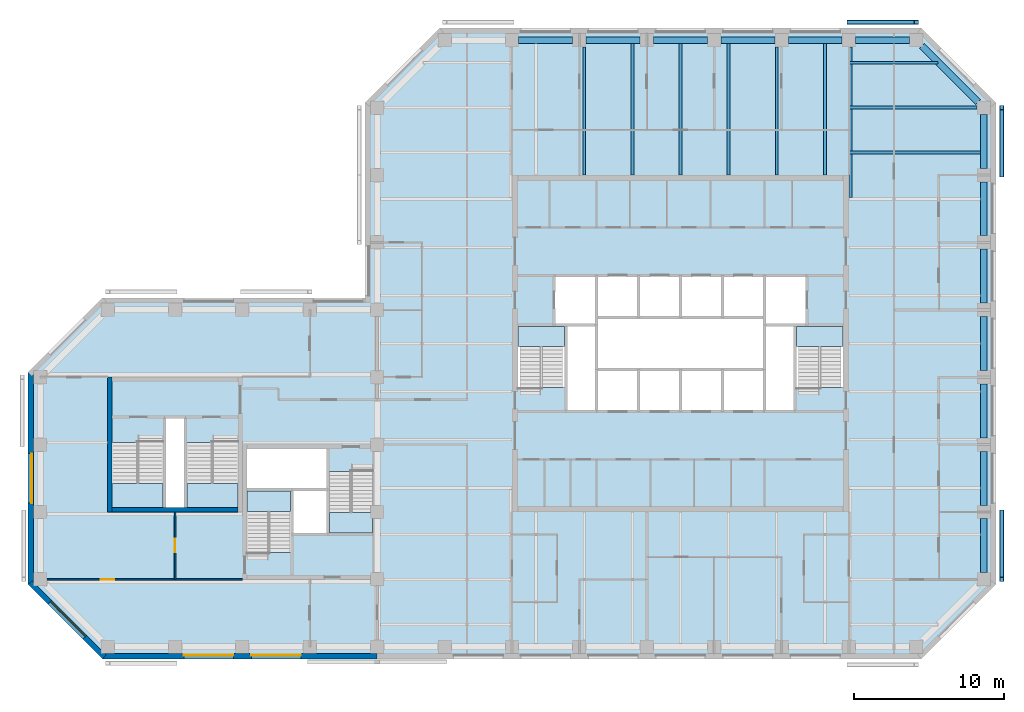
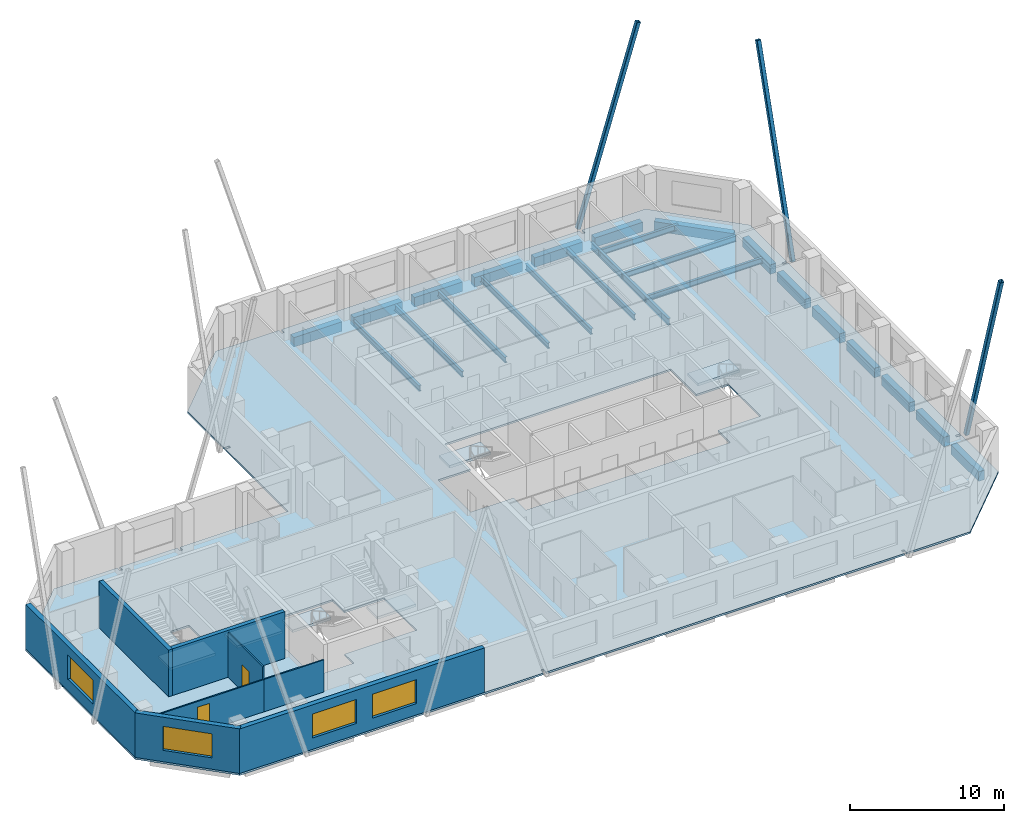
# One storey, part 2 of 10: 24 beams, 8 walls, 7 slabs, 4 windows, 3 members, 2 doors, 6 openings, 6 elements without a shape of their own.
"""IFC4 building model written with IfcOpenShell, lengths in metres."""

from ifc_helpers import new_model, si_unit, direction, frame, frame_2d, origin, origin_2d, place, context, subcontext, project, spatial, polyline, rectangle, hollow_rectangle, i_section, outline, extrude, material, layer, layer_set, constituent, constituent_set, material_profile, profile_set, type_object, element, fill, aggregate, save


model = new_model("IFC4")

# Units and contexts
model_context = context("Model", 3, precision=1e-05, world=origin(), true_north=direction((0.0, 1.0)))
body_context = subcontext(model_context, "Body", "Model", "MODEL_VIEW")
ifc_project = project(units=[si_unit("LENGTHUNIT", "METRE"), si_unit("AREAUNIT", "SQUARE_METRE"), si_unit("VOLUMEUNIT", "CUBIC_METRE"), si_unit("PLANEANGLEUNIT", "RADIAN"), si_unit("MASSUNIT", "GRAM", prefix="KILO")], contexts=[model_context])

# Site, building, storey
site_placement = place(None, origin())
site = spatial("IfcSite", under=ifc_project, at=site_placement, CompositionType="ELEMENT")
building_placement = place(site_placement, origin())
building = spatial("IfcBuilding", under=site, at=building_placement, Name="Quoin Convention Tower", CompositionType="ELEMENT")
storey_placement = place(building_placement, frame((0.0, 0.0, 234.10009765625)))
storey = spatial("IfcBuildingStorey", under=building, at=storey_placement, Name="L61", CompositionType="ELEMENT", Elevation=234.10009765625)

# Beams
ifc_material_1 = material(Name="Steel Grade 300", Category="steel")
ifc_material_profile_1 = material_profile(ifc_material_1, i_section(OverallWidth=0.18994140625, OverallDepth=0.4541015625, WebThickness=0.008544921875, FlangeThickness=0.0126953125, FilletRadius=0.011474609375, at=origin_2d()), Name="460UB67.1")
ifc_profile_set_1 = profile_set([ifc_material_profile_1], Name="Steel Grade 300")
beam_type_1 = type_object("IfcBeamType", Name="460UB67.1", PredefinedType="BEAM", material=ifc_profile_set_1)
beam_1_placement = place(storey_placement, frame((49.8212890625, 72.0, -0.377197265625), z_axis=(0.0, 1.0, 0.0), x_axis=(-1.0, 0.0, 0.0)))
element("IfcBeam", 1, at=beam_1_placement, inside=storey, type_object=beam_type_1, Name="bm-L61-T1N1", PredefinedType="BEAM", context=body_context, shape_type="SweptSolid", body=[
    extrude(i_section(OverallWidth=0.18994140625, OverallDepth=0.4541015625, WebThickness=0.008544921875, FlangeThickness=0.0126953125, FilletRadius=0.011474609375, at=origin_2d()), origin(), (0.0, 0.0, 1.0), 8.550048828125),
])
for number, where, z_axis, x_axis, name in (
    (2, (53.03564453125, 72.0, -0.377197265625), (0.0, 1.0, 0.0), (-1.0, 0.0, 0.0), "bm-L61-T1N2"),
    (3, (56.25, 72.0, -0.377197265625), (0.0, 1.0, 0.0), (-1.0, 0.0, 0.0), "bm-L61-T1N3"),
    (4, (59.46435546875, 72.0, -0.377197265625), (0.0, 1.0, 0.0), (-1.0, 0.0, 0.0), "bm-L61-T1N4"),
):
    element("IfcBeam", number, at=place(storey_placement, frame(where, z_axis=z_axis, x_axis=x_axis)), inside=storey, type_object=beam_type_1, Name=name, PredefinedType="BEAM", context=body_context, shape_type="SweptSolid", body=[
        extrude(i_section(OverallWidth=0.18994140625, OverallDepth=0.4541015625, WebThickness=0.008544921875, FlangeThickness=0.0126953125, FilletRadius=0.011474609375, at=origin_2d()), origin(), (0.0, 0.0, 1.0), 8.77490234375),
    ])
beam_2_placement = place(storey_placement, frame((62.6787109375, 72.0, -0.377197265625), z_axis=(0.0, 1.0, 0.0), x_axis=(-1.0, 0.0, 0.0)))
element("IfcBeam", 5, at=beam_2_placement, inside=storey, type_object=beam_type_1, Name="bm-L61-T1N5", PredefinedType="BEAM", context=body_context, shape_type="SweptSolid", body=[
    extrude(i_section(OverallWidth=0.18994140625, OverallDepth=0.4541015625, WebThickness=0.008544921875, FlangeThickness=0.0126953125, FilletRadius=0.011474609375, at=origin_2d()), origin(), (0.0, 0.0, 1.0), 8.550048828125),
])
beam_3_placement = place(storey_placement, frame((65.892822265625, 72.0, -0.377197265625), z_axis=(0.0, 1.0, 0.0), x_axis=(-1.0, 0.0, 0.0)))
element("IfcBeam", 6, at=beam_3_placement, inside=storey, type_object=beam_type_1, Name="bm-L61-T1N6", PredefinedType="BEAM", context=body_context, shape_type="SweptSolid", body=[
    extrude(i_section(OverallWidth=0.18994140625, OverallDepth=0.4541015625, WebThickness=0.008544921875, FlangeThickness=0.0126953125, FilletRadius=0.011474609375, at=origin_2d()), origin(), (0.0, 0.0, 1.0), 8.77490234375),
])
beam_4_placement = place(storey_placement, frame((67.5, 79.5, -0.377197265625), z_axis=(1.0, 0.0, 0.0), x_axis=(0.0, 1.0, 0.0)))
element("IfcBeam", 7, at=beam_4_placement, inside=storey, type_object=beam_type_1, Name="bm-L61-T1NE0", PredefinedType="BEAM", context=body_context, shape_type="SweptSolid", body=[
    extrude(i_section(OverallWidth=0.18994140625, OverallDepth=0.4541015625, WebThickness=0.008544921875, FlangeThickness=0.0126953125, FilletRadius=0.011474609375, at=origin_2d()), origin(), (0.0, 0.0, 1.0), 5.935791015625),
])
beam_5_placement = place(storey_placement, frame((67.5, 76.5, -0.377197265625), z_axis=(1.0, 0.0, 0.0), x_axis=(0.0, 1.0, 0.0)))
element("IfcBeam", 8, at=beam_5_placement, inside=storey, type_object=beam_type_1, Name="bm-L61-T1NE1", PredefinedType="BEAM", context=body_context, shape_type="SweptSolid", body=[
    extrude(i_section(OverallWidth=0.18994140625, OverallDepth=0.4541015625, WebThickness=0.008544921875, FlangeThickness=0.0126953125, FilletRadius=0.011474609375, at=origin_2d()), origin(), (0.0, 0.0, 1.0), 8.550048828125),
])
beam_6_placement = place(storey_placement, frame((67.5, 73.5, -0.377197265625), z_axis=(1.0, 0.0, 0.0), x_axis=(0.0, 1.0, 0.0)))
element("IfcBeam", 9, at=beam_6_placement, inside=storey, type_object=beam_type_1, Name="bm-L61-T1NE2", PredefinedType="BEAM", context=body_context, shape_type="SweptSolid", body=[
    extrude(i_section(OverallWidth=0.18994140625, OverallDepth=0.4541015625, WebThickness=0.008544921875, FlangeThickness=0.0126953125, FilletRadius=0.011474609375, at=origin_2d()), origin(), (0.0, 0.0, 1.0), 8.77490234375),
])
ifc_material_profile_2 = material_profile(ifc_material_1, i_section(OverallWidth=0.208984375, OverallDepth=0.528076171875, WebThickness=0.009521484375, FlangeThickness=0.01318359375, FilletRadius=0.013916015625, at=origin_2d()), Name="530UB82.0")
ifc_profile_set_2 = profile_set([ifc_material_profile_2], Name="Steel Grade 300")
beam_type_2 = type_object("IfcBeamType", Name="530UB82.0", PredefinedType="BEAM", material=ifc_profile_set_2)
beam_7_placement = place(storey_placement, frame((67.595458984375, 80.550048828125, -0.4140625), z_axis=(0.0, -1.0, 0.0), x_axis=(1.0, 0.0, 0.0)))
element("IfcBeam", 10, at=beam_7_placement, inside=storey, type_object=beam_type_2, Name="gir-L61-T1NE", PredefinedType="BEAM", context=body_context, shape_type="SweptSolid", body=[
    extrude(i_section(OverallWidth=0.208984375, OverallDepth=0.528076171875, WebThickness=0.009521484375, FlangeThickness=0.01318359375, FilletRadius=0.013916015625, at=origin_2d()), origin(), (0.0, 0.0, 1.0), 10.062255859375),
])

# Members
ifc_material_2 = material(Name="Steel C450L0", Category="steel")
ifc_material_profile_3 = material_profile(ifc_material_2, hollow_rectangle(XDim=0.300048828125, YDim=0.300048828125, WallThickness=0.012451171875, InnerFilletRadius=0.018798828125, OuterFilletRadius=0.03125, at=origin_2d()), Name="300x300x12.5SHS")
ifc_profile_set_3 = profile_set([ifc_material_profile_3], Name="Steel C450L0")
member_type = type_object("IfcMemberType", Name="Exposed brace 300x300x12.5SHS", PredefinedType="BRACE", material=ifc_profile_set_3)
for number, where, z_axis, x_axis, name in (
    (11, (67.5, 82.199951171875, -0.0751953125), (0.290903487189, 0.0, 0.956752403259), (0.0, 1.0, 0.0), "brc-L61-72000_81000-67500_81000"),
    (12, (77.699951171875, 49.5, -0.0751953125), (0.0, -0.290903487189, 0.956752403259), (1.0, 0.0, 0.0), "brc-L61-76500_45000-76500_49500"),
    (13, (77.699951171875, 72.0, -0.0751953125), (0.0, 0.290903487189, 0.956752403259), (-1.0, 0.0, 0.0), "brc-L61-76500_72000-76500_76500"),
):
    element("IfcMember", number, at=place(storey_placement, frame(where, z_axis=z_axis, x_axis=x_axis)), inside=storey, type_object=member_type, Name=name, PredefinedType="BRACE", context=body_context, shape_type="SweptSolid", body=[
        extrude(hollow_rectangle(XDim=0.300048828125, YDim=0.300048828125, WallThickness=0.012451171875, InnerFilletRadius=0.018798828125, OuterFilletRadius=0.03125, at=origin_2d()), origin(), (0.0, 0.0, 1.0), 15.468994140625),
    ])

# Beams
ifc_material_3 = material(Name="Concrete C50", Category="concrete")
ifc_material_profile_4 = material_profile(ifc_material_3, rectangle(XDim=0.449951171875, YDim=0.75, at=origin_2d()), Name="RC 450x750")
ifc_profile_set_4 = profile_set([ifc_material_profile_4], Name="Concrete C50")
beam_type_3 = type_object("IfcBeamType", Name="RC 450x750 C50", PredefinedType="SPANDREL", material=ifc_profile_set_4)
for number, where, z_axis, x_axis, name in (
    (14, (76.5, 45.449951171875, -0.525146484375), (0.0, 1.0, 0.0), (-1.0, 0.0, 0.0), "spd-L61-76500_45000-76500_49500"),
    (15, (76.5, 49.949951171875, -0.525146484375), (0.0, 1.0, 0.0), (-1.0, 0.0, 0.0), "spd-L61-76500_49500-76500_54000"),
    (16, (76.5, 54.449951171875, -0.525146484375), (0.0, 1.0, 0.0), (-1.0, 0.0, 0.0), "spd-L61-76500_54000-76500_58500"),
    (17, (76.5, 58.949951171875, -0.525146484375), (0.0, 1.0, 0.0), (-1.0, 0.0, 0.0), "spd-L61-76500_58500-76500_63000"),
    (18, (76.5, 63.449951171875, -0.525146484375), (0.0, 1.0, 0.0), (-1.0, 0.0, 0.0), "spd-L61-76500_63000-76500_67500"),
    (19, (76.5, 67.949951171875, -0.525146484375), (0.0, 1.0, 0.0), (-1.0, 0.0, 0.0), "spd-L61-76500_67500-76500_72000"),
    (20, (76.5, 72.449951171875, -0.525146484375), (0.0, 1.0, 0.0), (-1.0, 0.0, 0.0), "spd-L61-76500_72000-76500_76500"),
):
    element("IfcBeam", number, at=place(storey_placement, frame(where, z_axis=z_axis, x_axis=x_axis)), inside=storey, type_object=beam_type_3, Name=name, PredefinedType="SPANDREL", context=body_context, shape_type="SweptSolid", body=[
        extrude(rectangle(XDim=0.449951171875, YDim=0.75, at=origin_2d()), origin(), (0.0, 0.0, 1.0), 3.60009765625),
    ])
beam_8_placement = place(storey_placement, frame((76.135009765625, 76.864990234375, -0.525146484375), z_axis=(-0.707106781187, 0.707106781187, 0.0), x_axis=(-0.707106781187, -0.707106781187, 0.0)))
element("IfcBeam", 21, at=beam_8_placement, inside=storey, type_object=beam_type_3, Name="spd-L61-76500_76500-72000_81000", PredefinedType="SPANDREL", context=body_context, shape_type="SweptSolid", body=[
    extrude(rectangle(XDim=0.449951171875, YDim=0.75, at=origin_2d()), origin(), (0.0, 0.0, 1.0), 5.33154296875),
])
for number, where, z_axis, x_axis, name in (
    (22, (71.550048828125, 81.0, -0.525146484375), (-1.0, 0.0, 0.0), (0.0, -1.0, 0.0), "spd-L61-72000_81000-67500_81000"),
    (23, (67.050048828125, 81.0, -0.525146484375), (-1.0, 0.0, 0.0), (0.0, -1.0, 0.0), "spd-L61-67500_81000-63000_81000"),
    (24, (62.550048828125, 81.0, -0.525146484375), (-1.0, 0.0, 0.0), (0.0, -1.0, 0.0), "spd-L61-63000_81000-58500_81000"),
    (25, (58.050048828125, 81.0, -0.525146484375), (-1.0, 0.0, 0.0), (0.0, -1.0, 0.0), "spd-L61-58500_81000-54000_81000"),
    (26, (53.550048828125, 81.0, -0.525146484375), (-1.0, 0.0, 0.0), (0.0, -1.0, 0.0), "spd-L61-54000_81000-49500_81000"),
    (27, (49.050048828125, 81.0, -0.525146484375), (-1.0, 0.0, 0.0), (0.0, -1.0, 0.0), "spd-L61-49500_81000-45000_81000"),
):
    element("IfcBeam", number, at=place(storey_placement, frame(where, z_axis=z_axis, x_axis=x_axis)), inside=storey, type_object=beam_type_3, Name=name, PredefinedType="SPANDREL", context=body_context, shape_type="SweptSolid", body=[
        extrude(rectangle(XDim=0.449951171875, YDim=0.75, at=origin_2d()), origin(), (0.0, 0.0, 1.0), 3.60009765625),
    ])

# Slab
ifc_material_4 = material(Name="Concrete C40", Category="concrete")
ifc_layer_1 = layer(ifc_material_4, 0.14990234375)
ifc_layer_set_1 = layer_set([ifc_layer_1], Name="Concrete C40")
slab_type_1 = type_object("IfcSlabType", Name="COMPOSITE SLAB 150 C40", PredefinedType="FLOOR", material=ifc_layer_set_1)
slab_1_placement = place(storey_placement, frame((0.0, 0.0, -0.150146484375)))
element("IfcSlab", 28, at=slab_1_placement, inside=storey, type_object=slab_type_1, Name="slb-L61", PredefinedType="FLOOR", context=body_context, shape_type="SweptSolid", body=[
    extrude(outline(polyline([(12.699951171875, 44.668701171875), (12.699951171875, 49.405029296875), (13.070068359375, 49.405029296875), (13.070068359375, 49.594970703125), (12.699951171875, 49.594970703125), (12.699951171875, 53.905029296875), (13.070068359375, 53.905029296875), (13.070068359375, 54.094970703125), (12.699951171875, 54.094970703125), (12.699951171875, 58.831298828125), (17.668701171875, 63.800048828125), (22.405029296875, 63.800048828125), (22.405029296875, 63.429931640625), (22.594970703125, 63.429931640625), (22.594970703125, 63.800048828125), (26.905029296875, 63.800048828125), (26.905029296875, 63.429931640625), (27.094970703125, 63.429931640625), (27.094970703125, 63.800048828125), (35.199951171875, 63.800048828125), (35.199951171875, 71.905029296875), (35.570068359375, 71.905029296875), (35.570068359375, 72.094970703125), (35.199951171875, 72.094970703125), (35.199951171875, 76.831298828125), (40.168701171875, 81.800048828125), (44.905029296875, 81.800048828125), (44.905029296875, 81.429931640625), (45.094970703125, 81.429931640625), (45.094970703125, 81.800048828125), (67.405029296875, 81.800048828125), (67.405029296875, 81.429931640625), (67.594970703125, 81.429931640625), (67.594970703125, 81.800048828125), (72.331298828125, 81.800048828125), (77.300048828125, 76.831298828125), (77.300048828125, 72.094970703125), (76.929931640625, 72.094970703125), (76.929931640625, 71.905029296875), (77.300048828125, 71.905029296875), (77.300048828125, 49.594970703125), (76.929931640625, 49.594970703125), (76.929931640625, 49.405029296875), (77.300048828125, 49.405029296875), (77.300048828125, 44.668701171875), (72.331298828125, 39.699951171875), (67.594970703125, 39.699951171875), (67.594970703125, 40.070068359375), (67.405029296875, 40.070068359375), (67.405029296875, 39.699951171875), (40.594970703125, 39.699951171875), (40.594970703125, 40.070068359375), (40.405029296875, 40.070068359375), (40.405029296875, 39.699951171875), (31.594970703125, 39.699951171875), (31.594970703125, 40.070068359375), (31.405029296875, 40.070068359375), (31.405029296875, 39.699951171875), (22.594970703125, 39.699951171875), (22.594970703125, 40.070068359375), (22.405029296875, 40.070068359375), (22.405029296875, 39.699951171875), (17.668701171875, 39.699951171875), (12.699951171875, 44.668701171875)]), holes=[polyline([(27.300048828125, 46.800537109375), (30.300048828125, 46.800537109375), (30.300048828125, 48.0), (32.699951171875, 48.0), (35.699951171875, 48.0), (35.699951171875, 52.199462890625), (32.699951171875, 52.199462890625), (32.699951171875, 53.699951171875), (27.300048828125, 53.699951171875), (27.300048828125, 51.0), (27.300048828125, 46.800537109375)]), polyline([(21.800048828125, 49.800048828125), (23.199951171875, 49.800048828125), (26.699951171875, 49.800048828125), (26.699951171875, 54.1494140625), (23.199951171875, 54.1494140625), (23.199951171875, 55.85009765625), (21.800048828125, 55.85009765625), (21.800048828125, 54.1494140625), (18.300048828125, 54.1494140625), (18.300048828125, 49.800048828125), (21.800048828125, 49.800048828125)]), polyline([(50.64990234375, 56.199951171875), (53.449951171875, 56.199951171875), (56.25, 56.199951171875), (59.050048828125, 56.199951171875), (61.85009765625, 56.199951171875), (63.89990234375, 56.199951171875), (63.89990234375, 57.800537109375), (67.10009765625, 57.800537109375), (67.10009765625, 62.0), (64.699951171875, 62.0), (64.699951171875, 65.300048828125), (61.85009765625, 65.300048828125), (59.050048828125, 65.300048828125), (56.25, 65.300048828125), (53.449951171875, 65.300048828125), (50.64990234375, 65.300048828125), (47.800048828125, 65.300048828125), (47.800048828125, 62.0), (45.39990234375, 62.0), (45.39990234375, 57.800537109375), (48.60009765625, 57.800537109375), (48.60009765625, 56.199951171875), (50.64990234375, 56.199951171875)])]), origin(), (0.0, 0.0, 1.0), 0.150146484375),
])

# Stair, slab
stair_type_1 = type_object("IfcStairType", Name="Exit stair two-flight 1350", PredefinedType="HALF_TURN_STAIR", material=ifc_material_4)
stair_1_placement = place(storey_placement, origin())
stair_1 = element("IfcStair", 29, at=stair_1_placement, inside=storey, type_object=stair_type_1, Name="SD1 L61", PredefinedType="HALF_TURN_STAIR")
ifc_layer_2 = layer(ifc_material_4, 0.199951171875)
ifc_layer_set_2 = layer_set([ifc_layer_2], Name="Concrete C40")
slab_type_2 = type_object("IfcSlabType", Name="Stair landing 200", PredefinedType="LANDING", material=ifc_layer_set_2)
slab_2_placement = place(storey_placement, frame((0.0, 0.0, 1.792236328125)))
slab_2 = element("IfcSlab", 30, at=slab_2_placement, type_object=slab_type_2, Name="ST1 landing 1", PredefinedType="LANDING", context=body_context, shape_type="SweptSolid", body=[
    extrude(outline(polyline([(45.39990234375, 60.550048828125), (48.5, 60.550048828125), (48.5, 61.89990234375), (45.39990234375, 61.89990234375), (45.39990234375, 60.550048828125)])), origin(), (0.0, 0.0, 1.0), 0.199951171875),
])
aggregate(stair_1, [slab_2])

stair_2_placement = place(storey_placement, origin())
stair_2 = element("IfcStair", 31, at=stair_2_placement, inside=storey, type_object=stair_type_1, Name="SD2 L61", PredefinedType="HALF_TURN_STAIR")
slab_3_placement = place(storey_placement, frame((0.0, 0.0, 1.792236328125)))
slab_3 = element("IfcSlab", 32, at=slab_3_placement, type_object=slab_type_2, Name="ST2 landing 1", PredefinedType="LANDING", context=body_context, shape_type="SweptSolid", body=[
    extrude(outline(polyline([(64.0, 60.550048828125), (67.10009765625, 60.550048828125), (67.10009765625, 61.89990234375), (64.0, 61.89990234375), (64.0, 60.550048828125)])), origin(), (0.0, 0.0, 1.0), 0.199951171875),
])
aggregate(stair_2, [slab_3])

stair_3_placement = place(storey_placement, origin())
stair_3 = element("IfcStair", 33, at=stair_3_placement, inside=storey, type_object=stair_type_1, Name="SD3 L61", PredefinedType="HALF_TURN_STAIR")
slab_4_placement = place(storey_placement, frame((0.0, 0.0, 1.792236328125)))
slab_4 = element("IfcSlab", 34, at=slab_4_placement, type_object=slab_type_2, Name="ST3 landing 1", PredefinedType="LANDING", context=body_context, shape_type="SweptSolid", body=[
    extrude(outline(polyline([(27.300048828125, 49.550048828125), (30.199951171875, 49.550048828125), (30.199951171875, 50.89990234375), (27.300048828125, 50.89990234375), (27.300048828125, 49.550048828125)])), origin(), (0.0, 0.0, 1.0), 0.199951171875),
])
aggregate(stair_3, [slab_4])

stair_4_placement = place(storey_placement, origin())
stair_4 = element("IfcStair", 35, at=stair_4_placement, inside=storey, type_object=stair_type_1, Name="SD4 L61", PredefinedType="HALF_TURN_STAIR")
slab_5_placement = place(storey_placement, frame((0.0, 0.0, 1.792236328125)))
slab_5 = element("IfcSlab", 36, at=slab_5_placement, type_object=slab_type_2, Name="ST4 landing 1", PredefinedType="LANDING", context=body_context, shape_type="SweptSolid", body=[
    extrude(outline(polyline([(35.699951171875, 49.449951171875), (32.800048828125, 49.449951171875), (32.800048828125, 48.10009765625), (35.699951171875, 48.10009765625), (35.699951171875, 49.449951171875)])), origin(), (0.0, 0.0, 1.0), 0.199951171875),
])
aggregate(stair_4, [slab_5])

stair_type_2 = type_object("IfcStairType", Name="Exit stair two-flight 1600", PredefinedType="HALF_TURN_STAIR", material=ifc_material_4)
stair_5_placement = place(storey_placement, origin())
stair_5 = element("IfcStair", 37, at=stair_5_placement, inside=storey, type_object=stair_type_2, Name="SD11 L61", PredefinedType="HALF_TURN_STAIR")
slab_6_placement = place(storey_placement, frame((0.0, 0.0, 1.792236328125)))
slab_6 = element("IfcSlab", 38, at=slab_6_placement, type_object=slab_type_2, Name="ST11 landing 1", PredefinedType="LANDING", context=body_context, shape_type="SweptSolid", body=[
    extrude(outline(polyline([(21.699951171875, 51.39990234375), (18.300048828125, 51.39990234375), (18.300048828125, 49.800048828125), (21.699951171875, 49.800048828125), (21.699951171875, 51.39990234375)])), origin(), (0.0, 0.0, 1.0), 0.199951171875),
])
aggregate(stair_5, [slab_6])

stair_6_placement = place(storey_placement, origin())
stair_6 = element("IfcStair", 39, at=stair_6_placement, inside=storey, type_object=stair_type_2, Name="SD12 L61", PredefinedType="HALF_TURN_STAIR")
slab_7_placement = place(storey_placement, frame((0.0, 0.0, 1.792236328125)))
slab_7 = element("IfcSlab", 40, at=slab_7_placement, type_object=slab_type_2, Name="ST12 landing 1", PredefinedType="LANDING", context=body_context, shape_type="SweptSolid", body=[
    extrude(outline(polyline([(26.699951171875, 51.39990234375), (23.300048828125, 51.39990234375), (23.300048828125, 49.800048828125), (26.699951171875, 49.800048828125), (26.699951171875, 51.39990234375)])), origin(), (0.0, 0.0, 1.0), 0.199951171875),
])
aggregate(stair_6, [slab_7])

# Wall, opening, window
ifc_material_5 = material(Name="Brick masonry", Category="masonry")
ifc_layer_3 = layer(ifc_material_5, 0.35009765625)
ifc_layer_set_3 = layer_set([ifc_layer_3], Name="Brick masonry")
wall_type_1 = type_object("IfcWallType", Name="Brick facade wall", PredefinedType="STANDARD", material=ifc_layer_set_3)
wall_1_placement = place(storey_placement, frame((12.875, 58.831298828125, 0.0), z_axis=(0.0, 0.0, 1.0), x_axis=(0.0, -1.0, 0.0)))
wall_1 = element("IfcWall", 41, at=wall_1_placement, inside=storey, type_object=wall_type_1, Name="fw-L61-13500_58500", PredefinedType="STANDARD", context=body_context, shape_type="SweptSolid", body=[
    extrude(rectangle(XDim=14.16259765625, YDim=0.35009765625, at=frame_2d((7.081298828125, 0.0))), origin(), (0.0, 0.0, 1.0), 3.52490234375),
])
opening_1_placement = place(wall_1_placement, frame((5.431396484375, 0.0, 0.89990234375)))
opening_1 = element("IfcOpeningElement", 42, at=opening_1_placement, cuts=wall_1, Name="Opening W-02", PredefinedType="OPENING", context=body_context, shape_type="SweptSolid", body=[
    extrude(rectangle(XDim=3.300048828125, YDim=1.89990234375, at=frame_2d((1.64990234375, 0.949951171875))), frame((0.0, 0.18505859375, 0.0), z_axis=(0.0, -1.0, 0.0), x_axis=(1.0, 0.0, 0.0)), (0.0, 0.0, 1.0), 0.3701171875),
])
ifc_material_6 = material(Name="Aluminium", Category="aluminium")
ifc_constituent_1 = constituent(ifc_material_6, Name="Frame")
ifc_material_7 = material(Name="Insulated glass", Category="glass")
ifc_constituent_2 = constituent(ifc_material_7, Name="Glazing")
ifc_constituent_set = constituent_set(constituents=[ifc_constituent_1, ifc_constituent_2], Name="Aluminium")
window_type = type_object("IfcWindowType", Name="Office window", PartitioningType="DOUBLE_PANEL_VERTICAL", PredefinedType="WINDOW", material=ifc_constituent_set)
window_1_placement = place(opening_1_placement, origin())
window_1 = element("IfcWindow", 43, at=window_1_placement, inside=storey, type_object=window_type, Name="win-L61-12875_51750", OverallHeight=1.89990234375, OverallWidth=3.300048828125, PartitioningType="SINGLE_PANEL", PredefinedType="WINDOW", context=body_context, shape_type="SweptSolid", body=[
    extrude(rectangle(XDim=3.300048828125, YDim=1.89990234375, at=frame_2d((1.64990234375, 0.949951171875))), frame((0.0, 0.0849609375, 0.0), z_axis=(0.0, -1.0, 0.0), x_axis=(1.0, 0.0, 0.0)), (0.0, 0.0, 1.0), 0.06005859375),
])
fill(opening_1, window_1)

wall_2_placement = place(storey_placement, frame((12.82373046875, 44.79248046875, 0.0), z_axis=(0.0, 0.0, 1.0), x_axis=(0.707106781187, -0.707106781187, 0.0)))
wall_2 = element("IfcWall", 44, at=wall_2_placement, inside=storey, type_object=wall_type_1, Name="fw-L61-13500_45000", PredefinedType="STANDARD", context=body_context, shape_type="SweptSolid", body=[
    extrude(rectangle(XDim=7.02685546875, YDim=0.35009765625, at=frame_2d((3.513427734375, 0.0))), origin(), (0.0, 0.0, 1.0), 3.52490234375),
])
opening_2_placement = place(wall_2_placement, frame((1.86328125, 0.0, 0.89990234375)))
opening_2 = element("IfcOpeningElement", 45, at=opening_2_placement, cuts=wall_2, Name="Opening W-02", PredefinedType="OPENING", context=body_context, shape_type="SweptSolid", body=[
    extrude(rectangle(XDim=3.300048828125, YDim=1.89990234375, at=frame_2d((1.64990234375, 0.949951171875))), frame((0.0, 0.18505859375, 0.0), z_axis=(0.0, -1.0, 0.0), x_axis=(1.0, 0.0, 0.0)), (0.0, 0.0, 1.0), 0.3701171875),
])
window_2_placement = place(opening_2_placement, origin())
window_2 = element("IfcWindow", 46, at=window_2_placement, inside=storey, type_object=window_type, Name="win-L61-15308_42308", OverallHeight=1.89990234375, OverallWidth=3.300048828125, PartitioningType="SINGLE_PANEL", PredefinedType="WINDOW", context=body_context, shape_type="SweptSolid", body=[
    extrude(rectangle(XDim=3.300048828125, YDim=1.89990234375, at=frame_2d((1.64990234375, 0.949951171875))), frame((0.0, 0.0849609375, 0.0), z_axis=(0.0, -1.0, 0.0), x_axis=(1.0, 0.0, 0.0)), (0.0, 0.0, 1.0), 0.06005859375),
])
fill(opening_2, window_2)

# Wall, openings, windows
wall_3_placement = place(storey_placement, frame((17.668701171875, 39.875, 0.0), z_axis=(0.0, 0.0, 1.0), x_axis=(1.0, 0.0, 0.0)))
wall_3 = element("IfcWall", 47, at=wall_3_placement, inside=storey, type_object=wall_type_1, Name="fw-L61-18000_40500", PredefinedType="STANDARD", context=body_context, shape_type="SweptSolid", body=[
    extrude(rectangle(XDim=18.331298828125, YDim=0.35009765625, at=frame_2d((9.16552734375, 0.0))), origin(), (0.0, 0.0, 1.0), 3.52490234375),
])
opening_3_placement = place(wall_3_placement, frame((5.431396484375, 0.0, 0.89990234375)))
opening_3 = element("IfcOpeningElement", 48, at=opening_3_placement, cuts=wall_3, Name="Opening W-02", PredefinedType="OPENING", context=body_context, shape_type="SweptSolid", body=[
    extrude(rectangle(XDim=3.300048828125, YDim=1.89990234375, at=frame_2d((1.64990234375, 0.949951171875))), frame((0.0, 0.18505859375, 0.0), z_axis=(0.0, -1.0, 0.0), x_axis=(1.0, 0.0, 0.0)), (0.0, 0.0, 1.0), 0.3701171875),
])
opening_4_placement = place(wall_3_placement, frame((9.931396484375, 0.0, 0.89990234375)))
opening_4 = element("IfcOpeningElement", 49, at=opening_4_placement, cuts=wall_3, Name="Opening W-02", PredefinedType="OPENING", context=body_context, shape_type="SweptSolid", body=[
    extrude(rectangle(XDim=3.300048828125, YDim=1.89990234375, at=frame_2d((1.64990234375, 0.949951171875))), frame((0.0, 0.18505859375, 0.0), z_axis=(0.0, -1.0, 0.0), x_axis=(1.0, 0.0, 0.0)), (0.0, 0.0, 1.0), 0.3701171875),
])
window_3_placement = place(opening_3_placement, origin())
window_3 = element("IfcWindow", 50, at=window_3_placement, inside=storey, type_object=window_type, Name="win-L61-24750_39875", OverallHeight=1.89990234375, OverallWidth=3.300048828125, PartitioningType="SINGLE_PANEL", PredefinedType="WINDOW", context=body_context, shape_type="SweptSolid", body=[
    extrude(rectangle(XDim=3.300048828125, YDim=1.89990234375, at=frame_2d((1.64990234375, 0.949951171875))), frame((0.0, 0.0849609375, 0.0), z_axis=(0.0, -1.0, 0.0), x_axis=(1.0, 0.0, 0.0)), (0.0, 0.0, 1.0), 0.06005859375),
])
fill(opening_3, window_3)
window_4_placement = place(opening_4_placement, origin())
window_4 = element("IfcWindow", 51, at=window_4_placement, inside=storey, type_object=window_type, Name="win-L61-29250_39875", OverallHeight=1.89990234375, OverallWidth=3.300048828125, PartitioningType="SINGLE_PANEL", PredefinedType="WINDOW", context=body_context, shape_type="SweptSolid", body=[
    extrude(rectangle(XDim=3.300048828125, YDim=1.89990234375, at=frame_2d((1.64990234375, 0.949951171875))), frame((0.0, 0.0849609375, 0.0), z_axis=(0.0, -1.0, 0.0), x_axis=(1.0, 0.0, 0.0)), (0.0, 0.0, 1.0), 0.06005859375),
])
fill(opening_4, window_4)

# Walls
ifc_layer_4 = layer(ifc_material_3, 0.300048828125)
ifc_layer_set_4 = layer_set([ifc_layer_4], Name="Concrete C50")
wall_type_2 = type_object("IfcWallType", Name="RC CORE WALL 300 C50", PredefinedType="SHEAR", material=ifc_layer_set_4)
wall_4_placement = place(storey_placement, frame((18.300048828125, 49.64990234375, 0.0), z_axis=(0.0, 0.0, 1.0), x_axis=(1.0, 0.0, 0.0)))
element("IfcWall", 52, at=wall_4_placement, inside=storey, type_object=wall_type_2, Name="cwl-P6-L61-S", PredefinedType="SHEAR", context=body_context, shape_type="SweptSolid", body=[
    extrude(rectangle(XDim=8.39990234375, YDim=0.300048828125, at=frame_2d((4.199951171875, 0.0))), origin(), (0.0, 0.0, 1.0), 3.699951171875),
])
wall_5_placement = place(storey_placement, frame((18.14990234375, 49.5, 0.0), z_axis=(0.0, 0.0, 1.0), x_axis=(0.0, 1.0, 0.0)))
element("IfcWall", 53, at=wall_5_placement, inside=storey, type_object=wall_type_2, Name="cwl-P6-L61-W", PredefinedType="SHEAR", context=body_context, shape_type="SweptSolid", body=[
    extrude(rectangle(XDim=9.0, YDim=0.300048828125, at=frame_2d((4.5, 0.0))), origin(), (0.0, 0.0, 1.0), 3.699951171875),
])

# Wall, opening, door
ifc_material_8 = material(Name="Plasterboard")
ifc_layer_5 = layer(ifc_material_8, 0.012451171875, Name="Finish")
ifc_material_9 = material(Name="Steel stud framing", Category="steel")
ifc_layer_6 = layer(ifc_material_9, 0.074951171875, Name="Structure")
ifc_layer_7 = layer(ifc_material_8, 0.012451171875, Name="Finish")
ifc_layer_set_5 = layer_set([ifc_layer_5, ifc_layer_6, ifc_layer_7], Name="Steel stud framing")
wall_type_3 = type_object("IfcWallType", Name="Stud partition 100", PredefinedType="PARTITIONING", material=ifc_layer_set_5)
wall_6_placement = place(storey_placement, frame((22.5, 49.5, 0.0), z_axis=(0.0, 0.0, 1.0), x_axis=(0.0, -1.0, 0.0)))
wall_6 = element("IfcWall", 54, at=wall_6_placement, inside=storey, type_object=wall_type_3, Name="pw-L61-w05", PredefinedType="PARTITIONING", context=body_context, shape_type="SweptSolid", body=[
    extrude(rectangle(XDim=4.5, YDim=0.10009765625, at=frame_2d((2.25, 0.0))), origin(), (0.0, 0.0, 1.0), 3.5498046875),
])
opening_5_placement = place(wall_6_placement, frame((1.800048828125, 0.0, 0.0)))
opening_5 = element("IfcOpeningElement", 55, at=opening_5_placement, cuts=wall_6, Name="Opening DOH11-31", PredefinedType="OPENING", context=body_context, shape_type="SweptSolid", body=[
    extrude(rectangle(XDim=0.89990234375, YDim=2.10009765625, at=frame_2d((0.449951171875, 1.050048828125))), frame((0.0, 0.06005859375, 0.0), z_axis=(0.0, -1.0, 0.0), x_axis=(1.0, 0.0, 0.0)), (0.0, 0.0, 1.0), 0.1201171875),
])
ifc_material_10 = material(Name="Steel door leaf", Category="steel")
door_type = type_object("IfcDoorType", Name="Office door 900 x 2100", OperationType="SINGLE_SWING_RIGHT", PredefinedType="DOOR", material=ifc_material_10)
door_1_placement = place(opening_5_placement, frame((0.89990234375, 0.0, 0.0), z_axis=(0.0, 0.0, 1.0), x_axis=(-1.0, 0.0, 0.0)))
door_1 = element("IfcDoor", 56, at=door_1_placement, inside=storey, type_object=door_type, Name="dr-L61-w05", OperationType="SINGLE_SWING_LEFT", OverallHeight=2.10009765625, OverallWidth=0.89990234375, PredefinedType="DOOR", context=body_context, shape_type="SweptSolid", body=[
    extrude(rectangle(XDim=0.89990234375, YDim=2.10009765625, at=frame_2d((0.449951171875, 1.050048828125))), frame((0.0, 0.02490234375, 0.0), z_axis=(0.0, -1.0, 0.0), x_axis=(1.0, 0.0, 0.0)), (0.0, 0.0, 1.0), 0.050048828125),
])
fill(opening_5, door_1)

ifc_layer_8 = layer(ifc_material_8, 0.012451171875, Name="Finish")
ifc_layer_9 = layer(ifc_material_9, 0.074951171875, Name="Structure")
ifc_layer_10 = layer(ifc_material_8, 0.012451171875, Name="Finish")
ifc_layer_set_6 = layer_set([ifc_layer_8, ifc_layer_9, ifc_layer_10], Name="Steel stud framing")
wall_type_4 = type_object("IfcWallType", Name="Stud partition 100 under beam 1000", PredefinedType="PARTITIONING", material=ifc_layer_set_6)
wall_7_placement = place(storey_placement, frame((22.5, 45.0, 0.0), z_axis=(0.0, 0.0, 1.0), x_axis=(-1.0, 0.0, 0.0)))
wall_7 = element("IfcWall", 57, at=wall_7_placement, inside=storey, type_object=wall_type_4, Name="pw-L61-w04", PredefinedType="PARTITIONING", context=body_context, shape_type="SweptSolid", body=[
    extrude(rectangle(XDim=9.0, YDim=0.10009765625, at=frame_2d((4.5, 0.0))), origin(), (0.0, 0.0, 1.0), 2.5498046875),
])
opening_6_placement = place(wall_7_placement, frame((4.050048828125, 0.0, 0.0)))
opening_6 = element("IfcOpeningElement", 58, at=opening_6_placement, cuts=wall_7, Name="Opening DOH11-30", PredefinedType="OPENING", context=body_context, shape_type="SweptSolid", body=[
    extrude(rectangle(XDim=0.89990234375, YDim=2.10009765625, at=frame_2d((0.449951171875, 1.050048828125))), frame((0.0, 0.06005859375, 0.0), z_axis=(0.0, -1.0, 0.0), x_axis=(1.0, 0.0, 0.0)), (0.0, 0.0, 1.0), 0.1201171875),
])
door_2_placement = place(opening_6_placement, frame((0.89990234375, 0.0, 0.0), z_axis=(0.0, 0.0, 1.0), x_axis=(-1.0, 0.0, 0.0)))
door_2 = element("IfcDoor", 59, at=door_2_placement, inside=storey, type_object=door_type, Name="dr-L61-w04", OperationType="SINGLE_SWING_RIGHT", OverallHeight=2.10009765625, OverallWidth=0.89990234375, PredefinedType="DOOR", context=body_context, shape_type="SweptSolid", body=[
    extrude(rectangle(XDim=0.89990234375, YDim=2.10009765625, at=frame_2d((0.449951171875, 1.050048828125))), frame((0.0, 0.02490234375, 0.0), z_axis=(0.0, -1.0, 0.0), x_axis=(1.0, 0.0, 0.0)), (0.0, 0.0, 1.0), 0.050048828125),
])
fill(opening_6, door_2)

# Wall
wall_8_placement = place(storey_placement, frame((22.5, 45.0, 0.0), z_axis=(0.0, 0.0, 1.0), x_axis=(1.0, 0.0, 0.0)))
element("IfcWall", 60, at=wall_8_placement, inside=storey, type_object=wall_type_4, Name="pw-L61-w06", PredefinedType="PARTITIONING", context=body_context, shape_type="SweptSolid", body=[
    extrude(rectangle(XDim=4.5, YDim=0.10009765625, at=frame_2d((2.25, 0.0))), origin(), (0.0, 0.0, 1.0), 2.5498046875),
])

save(model, "model.ifc")
